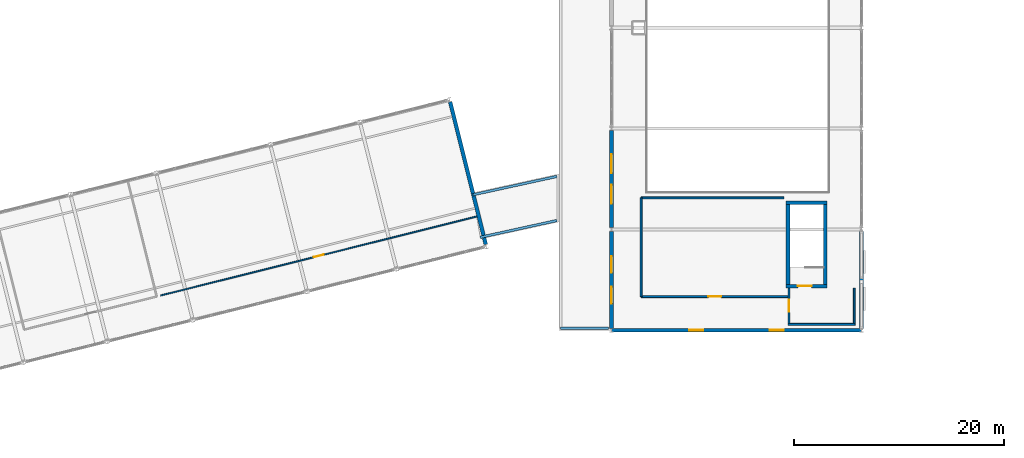
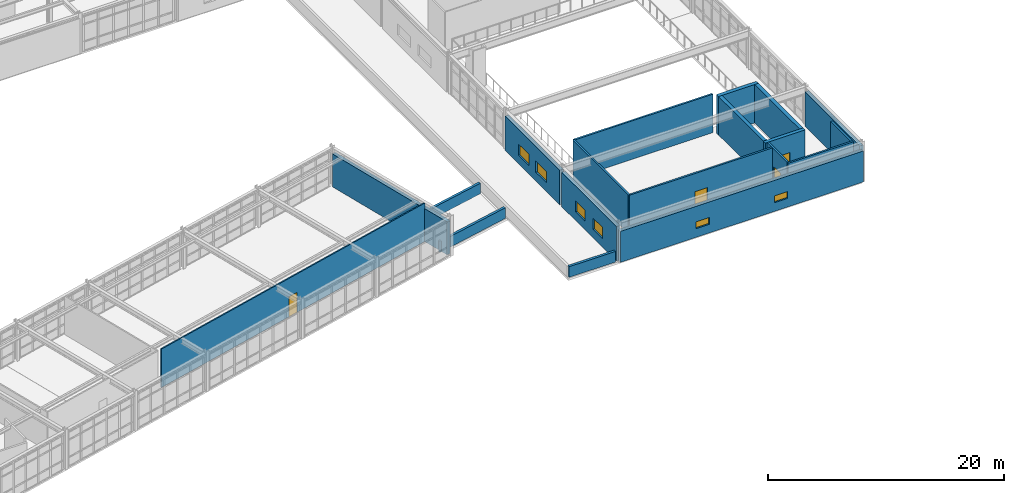
# One storey, part 63 of 76: 19 walls, 6 windows, 4 doors, 10 openings.
"""IFC4 building model written with IfcOpenShell, lengths in metres."""

from ifc_helpers import new_model, si_unit, direction, frame, frame_2d, origin, place, context, subcontext, project, spatial, rectangle, extrude, material, layer, layer_set, type_object, element, fill, save


model = new_model("IFC4")

# Units and contexts
model_context = context("Model", 3, precision=1e-05, world=origin(), true_north=direction((0.0, 1.0)))
body_context = subcontext(model_context, "Body", "Model", "MODEL_VIEW")
ifc_project = project(units=[si_unit("LENGTHUNIT", "METRE"), si_unit("AREAUNIT", "SQUARE_METRE"), si_unit("VOLUMEUNIT", "CUBIC_METRE"), si_unit("PLANEANGLEUNIT", "RADIAN"), si_unit("MASSUNIT", "GRAM", prefix="KILO")], contexts=[model_context])

# Site, building, storey
site_placement = place(None, origin())
site = spatial("IfcSite", under=ifc_project, at=site_placement, CompositionType="ELEMENT")
building_placement = place(site_placement, origin())
building = spatial("IfcBuilding", under=site, at=building_placement, Name="Nordkorset Police Headquarters", CompositionType="ELEMENT")
storey_placement = place(building_placement, frame((0.0, 0.0, 13.64990234375)))
storey = spatial("IfcBuildingStorey", under=building, at=storey_placement, Name="L03", CompositionType="ELEMENT", Elevation=13.64990234375)

# Wall
ifc_material_1 = material(Name="Gypsum board", Category="gypsum")
ifc_layer_1 = layer(ifc_material_1, 0.179931640625, Name="Gypsum board")
ifc_layer_set_1 = layer_set([ifc_layer_1], Name="Gypsum board")
wall_type_1 = type_object("IfcWallType", Name="Wall_Comp_180", PredefinedType="PARTITIONING", material=ifc_layer_set_1)
wall_1_placement = place(storey_placement, frame((108.199951171875, 48.56005859375, 0.0), z_axis=(0.0, 0.0, 1.0), x_axis=(1.0, 0.0, 0.0)))
element("IfcWall", 1, at=wall_1_placement, inside=storey, type_object=wall_type_1, Name="Firefighting Lobby EI 60 Wall K8 L03 S", PredefinedType="PARTITIONING", context=body_context, shape_type="SweptSolid", body=[
    extrude(rectangle(XDim=6.400146484375, YDim=0.179931640625, at=frame_2d((3.2001953125, 0.0))), origin(), (0.0, 0.0, 1.0), 3.97998046875),
])

# Wall, opening, door
wall_2_placement = place(storey_placement, frame((108.2900390625, 48.64990234375, 0.0), z_axis=(0.0, 0.0, 1.0), x_axis=(0.0, 1.0, 0.0)))
wall_2 = element("IfcWall", 2, at=wall_2_placement, inside=storey, type_object=wall_type_1, Name="Firefighting Lobby EI 60 Wall K8 L03 W", PredefinedType="PARTITIONING", context=body_context, shape_type="SweptSolid", body=[
    extrude(rectangle(XDim=3.375, YDim=0.179931640625, at=frame_2d((1.6875, 0.0))), origin(), (0.0, 0.0, 1.0), 3.97998046875),
])
opening_1_placement = place(wall_2_placement, frame((1.112548828125, 0.0, 0.0)))
opening_1 = element("IfcOpeningElement", 3, at=opening_1_placement, cuts=wall_2, Name="Opening DR-01", PredefinedType="OPENING", context=body_context, shape_type="SweptSolid", body=[
    extrude(rectangle(XDim=1.14990234375, YDim=2.14990234375, at=frame_2d((0.574951171875, 1.074951171875))), frame((0.0, 0.10009765625, 0.0), z_axis=(0.0, -1.0, 0.0), x_axis=(1.0, 0.0, 0.0)), (0.0, 0.0, 1.0), 0.199951171875),
])
ifc_material_2 = material(Name="Steel S355J2", Category="steel")
door_type_1 = type_object("IfcDoorType", Name="Door_LobbySingle_1150x2150", OperationType="NOTDEFINED", PredefinedType="DOOR", material=ifc_material_2)
door_1_placement = place(opening_1_placement, origin())
door_1 = element("IfcDoor", 4, at=door_1_placement, inside=storey, type_object=door_type_1, Name="Firefighting Lobby Smoke Door K8 L03 W", OperationType="SINGLE_SWING_RIGHT", OverallHeight=2.14990234375, OverallWidth=1.14990234375, PredefinedType="DOOR", context=body_context, shape_type="SweptSolid", body=[
    extrude(rectangle(XDim=1.14990234375, YDim=2.14990234375, at=frame_2d((0.574951171875, 1.074951171875))), frame((0.0, 0.02490234375, 0.0), z_axis=(0.0, -1.0, 0.0), x_axis=(1.0, 0.0, 0.0)), (0.0, 0.0, 1.0), 0.050048828125),
])
fill(opening_1, door_1)

# Wall
wall_3_placement = place(storey_placement, frame((114.510009765625, 48.64990234375, 0.0), z_axis=(0.0, 0.0, 1.0), x_axis=(0.0, 1.0, 0.0)))
element("IfcWall", 5, at=wall_3_placement, inside=storey, type_object=wall_type_1, Name="Firefighting Lobby EI 60 Wall K8 L03 E", PredefinedType="PARTITIONING", context=body_context, shape_type="SweptSolid", body=[
    extrude(rectangle(XDim=3.375, YDim=0.179931640625, at=frame_2d((1.6875, 0.0))), origin(), (0.0, 0.0, 1.0), 3.97998046875),
])

# Wall, opening, door
wall_4_placement = place(storey_placement, frame((94.219970703125, 51.199951171875, 0.0), z_axis=(0.0, 0.0, 1.0), x_axis=(1.0, 0.0, 0.0)))
wall_4 = element("IfcWall", 6, at=wall_4_placement, inside=storey, type_object=wall_type_1, Name="Interior Partition Wall Gymnasium Wing Air Handling Room", PredefinedType="PARTITIONING", context=body_context, shape_type="SweptSolid", body=[
    extrude(rectangle(XDim=13.985107421875, YDim=0.179931640625, at=frame_2d((6.99267578125, 0.0))), origin(), (0.0, 0.0, 1.0), 3.97998046875),
])
opening_2_placement = place(wall_4_placement, frame((6.382568359375, 0.0, 0.0)))
opening_2 = element("IfcOpeningElement", 7, at=opening_2_placement, cuts=wall_4, Name="Opening DR-13", PredefinedType="OPENING", context=body_context, shape_type="SweptSolid", body=[
    extrude(rectangle(XDim=1.219970703125, YDim=2.10009765625, at=frame_2d((0.60986328125, 1.050048828125))), frame((0.0, 0.10009765625, 0.0), z_axis=(0.0, -1.0, 0.0), x_axis=(1.0, 0.0, 0.0)), (0.0, 0.0, 1.0), 0.199951171875),
])
ifc_material_3 = material(Name="Steel S355J2", Category="steel")
door_type_2 = type_object("IfcDoorType", Name="Door_FireComp_1220x2100", OperationType="NOTDEFINED", PredefinedType="DOOR", material=ifc_material_3)
door_2_placement = place(opening_2_placement, origin())
door_2 = element("IfcDoor", 8, at=door_2_placement, inside=storey, type_object=door_type_2, Name="Interior Door Gymnasium Wing Air Handling Room", OperationType="SINGLE_SWING_LEFT", OverallHeight=2.10009765625, OverallWidth=1.219970703125, PredefinedType="DOOR", context=body_context, shape_type="SweptSolid", body=[
    extrude(rectangle(XDim=1.219970703125, YDim=2.10009765625, at=frame_2d((0.60986328125, 1.050048828125))), frame((0.0, 0.02490234375, 0.0), z_axis=(0.0, -1.0, 0.0), x_axis=(1.0, 0.0, 0.0)), (0.0, 0.0, 1.0), 0.050048828125),
])
fill(opening_2, door_2)

# Walls
wall_5_placement = place(storey_placement, frame((107.800048828125, 60.60009765625, 0.0), z_axis=(0.0, 0.0, 1.0), x_axis=(-1.0, 0.0, 0.0)))
element("IfcWall", 9, at=wall_5_placement, inside=storey, type_object=wall_type_1, Name="Interior Partition Wall Gymnasium Wing Air Handling Room", PredefinedType="PARTITIONING", context=body_context, shape_type="SweptSolid", body=[
    extrude(rectangle(XDim=13.580078125, YDim=0.179931640625, at=frame_2d((6.7900390625, 0.0))), origin(), (0.0, 0.0, 1.0), 3.97998046875),
])
wall_6_placement = place(storey_placement, frame((94.219970703125, 60.60009765625, 0.0), z_axis=(0.0, 0.0, 1.0), x_axis=(0.0, -1.0, 0.0)))
element("IfcWall", 10, at=wall_6_placement, inside=storey, type_object=wall_type_1, Name="Interior Partition Wall Gymnasium Wing Air Handling Room", PredefinedType="PARTITIONING", context=body_context, shape_type="SweptSolid", body=[
    extrude(rectangle(XDim=9.400146484375, YDim=0.179931640625, at=frame_2d((4.7001953125, 0.0))), origin(), (0.0, 0.0, 1.0), 3.97998046875),
])

# Wall, opening, door
ifc_material_4 = material(Name="Concrete C35/45", Category="concrete")
ifc_layer_2 = layer(ifc_material_4, 0.35009765625, Name="Concrete C35/45")
ifc_layer_set_2 = layer_set([ifc_layer_2], Name="Concrete C35/45")
wall_type_2 = type_object("IfcWallType", Name="Wall_CoreShear_350", PredefinedType="SHEAR", material=ifc_layer_set_2)
wall_7_placement = place(storey_placement, frame((108.02490234375, 52.199951171875, 0.0), z_axis=(0.0, 0.0, 1.0), x_axis=(1.0, 0.0, 0.0)))
wall_7 = element("IfcWall", 11, at=wall_7_placement, inside=storey, type_object=wall_type_2, Name="Core K8 Stair Shaft South Shear Wall L03", PredefinedType="SHEAR", context=body_context, shape_type="SweptSolid", body=[
    extrude(rectangle(XDim=3.900146484375, YDim=0.35009765625, at=frame_2d((1.9501953125, 0.0))), origin(), (0.0, 0.0, 1.0), 3.97998046875),
])
opening_3_placement = place(wall_7_placement, frame((1.125, 0.0, 0.0)))
opening_3 = element("IfcOpeningElement", 12, at=opening_3_placement, cuts=wall_7, Name="Opening DR-20", PredefinedType="OPENING", context=body_context, shape_type="SweptSolid", body=[
    extrude(rectangle(XDim=1.300048828125, YDim=2.14990234375, at=frame_2d((0.64990234375, 1.074951171875))), frame((0.0, 0.18505859375, 0.0), z_axis=(0.0, -1.0, 0.0), x_axis=(1.0, 0.0, 0.0)), (0.0, 0.0, 1.0), 0.3701171875),
])
ifc_material_5 = material(Name="Steel S355J2", Category="steel")
door_type_3 = type_object("IfcDoorType", Name="Door_Stair_1300x2150", OperationType="NOTDEFINED", PredefinedType="DOOR", material=ifc_material_5)
door_3_placement = place(opening_3_placement, frame((1.300048828125, 0.0, 0.0), z_axis=(0.0, 0.0, 1.0), x_axis=(-1.0, 0.0, 0.0)))
door_3 = element("IfcDoor", 13, at=door_3_placement, inside=storey, type_object=door_type_3, Name="Protected Stair Fire Door ST-09 L03", OperationType="SINGLE_SWING_LEFT", OverallHeight=2.14990234375, OverallWidth=1.300048828125, PredefinedType="DOOR", context=body_context, shape_type="SweptSolid", body=[
    extrude(rectangle(XDim=1.300048828125, YDim=2.14990234375, at=frame_2d((0.64990234375, 1.074951171875))), frame((0.0, 0.02490234375, 0.0), z_axis=(0.0, -1.0, 0.0), x_axis=(1.0, 0.0, 0.0)), (0.0, 0.0, 1.0), 0.050048828125),
])
fill(opening_3, door_3)

# Walls
wall_8_placement = place(storey_placement, frame((108.02490234375, 60.14990234375, 0.0), z_axis=(0.0, 0.0, 1.0), x_axis=(1.0, 0.0, 0.0)))
element("IfcWall", 14, at=wall_8_placement, inside=storey, type_object=wall_type_2, Name="Core K8 Stair Shaft North Shear Wall L03", PredefinedType="SHEAR", context=body_context, shape_type="SweptSolid", body=[
    extrude(rectangle(XDim=3.900146484375, YDim=0.35009765625, at=frame_2d((1.9501953125, 0.0))), origin(), (0.0, 0.0, 1.0), 3.97998046875),
])
for number, where, z_axis, x_axis, name in (
    (15, (108.199951171875, 52.375, 0.0), (0.0, 0.0, 1.0), (0.0, 1.0, 0.0), "Core K8 Stair Shaft West Shear Wall L03"),
    (16, (111.75, 52.375, 0.0), (0.0, 0.0, 1.0), (0.0, 1.0, 0.0), "Core K8 Stair Shaft East Shear Wall L03"),
):
    element("IfcWall", number, at=place(storey_placement, frame(where, z_axis=z_axis, x_axis=x_axis)), inside=storey, type_object=wall_type_2, Name=name, PredefinedType="SHEAR", context=body_context, shape_type="SweptSolid", body=[
        extrude(rectangle(XDim=7.60009765625, YDim=0.35009765625, at=frame_2d((3.800048828125, 0.0))), origin(), (0.0, 0.0, 1.0), 3.97998046875),
    ])
ifc_material_6 = material(Name="Precast concrete C40/50", Category="concrete")
ifc_layer_3 = layer(ifc_material_6, 0.360107421875, Name="Precast concrete C40/50")
ifc_layer_set_3 = layer_set([ifc_layer_3], Name="Precast concrete C40/50")
wall_type_3 = type_object("IfcWallType", Name="Wall_ExtPrecast_360", PredefinedType="SOLIDWALL", material=ifc_layer_set_3)
wall_9_placement = place(storey_placement, frame((79.43115234375, 56.166015625, 0.0), z_axis=(0.0, 0.0, 1.0), x_axis=(-0.242535625036, 0.970142500145, 0.0)))
element("IfcWall", 17, at=wall_9_placement, inside=storey, type_object=wall_type_3, Name="Exterior Insulated Precast Wall L03 V4E-0", PredefinedType="SOLIDWALL", context=body_context, shape_type="SweptSolid", body=[
    extrude(rectangle(XDim=13.99609375, YDim=0.360107421875, at=frame_2d((6.998046875, 0.0))), origin(), (0.0, 0.0, 1.0), 3.406005859375),
])
wall_10_placement = place(storey_placement, frame((115.199951171875, 48.172119140625, 0.0), z_axis=(0.0, 0.0, 1.0), x_axis=(0.0, 1.0, 0.0)))
element("IfcWall", 18, at=wall_10_placement, inside=storey, type_object=wall_type_3, Name="Exterior Insulated Precast Wall L03 V5E-0", PredefinedType="SOLIDWALL", context=body_context, shape_type="SweptSolid", body=[
    extrude(rectangle(XDim=9.255859375, YDim=0.360107421875, at=frame_2d((4.6279296875, 0.0))), origin(), (0.0, 0.0, 1.0), 3.565185546875),
])

# Wall, openings, windows
wall_11_placement = place(storey_placement, frame((91.39990234375, 48.172119140625, 0.0), z_axis=(0.0, 0.0, 1.0), x_axis=(0.0, 1.0, 0.0)))
wall_11 = element("IfcWall", 19, at=wall_11_placement, inside=storey, type_object=wall_type_3, Name="Exterior Insulated Precast Wall L03 V5W-0", PredefinedType="SOLIDWALL", context=body_context, shape_type="SweptSolid", body=[
    extrude(rectangle(XDim=9.255859375, YDim=0.360107421875, at=frame_2d((4.6279296875, 0.0))), origin(), (0.0, 0.0, 1.0), 3.565185546875),
])
opening_4_placement = place(wall_11_placement, frame((2.361328125, 0.0, 0.89990234375)))
opening_4 = element("IfcOpeningElement", 20, at=opening_4_placement, cuts=wall_11, Name="Opening WN-17", PredefinedType="OPENING", context=body_context, shape_type="SweptSolid", body=[
    extrude(rectangle(XDim=1.60009765625, YDim=1.14990234375, at=frame_2d((0.800048828125, 0.574951171875))), frame((0.0, 0.18994140625, 0.0), z_axis=(0.0, -1.0, 0.0), x_axis=(1.0, 0.0, 0.0)), (0.0, 0.0, 1.0), 0.380126953125),
])
opening_5_placement = place(wall_11_placement, frame((5.294677734375, 0.0, 0.89990234375)))
opening_5 = element("IfcOpeningElement", 21, at=opening_5_placement, cuts=wall_11, Name="Opening WN-17", PredefinedType="OPENING", context=body_context, shape_type="SweptSolid", body=[
    extrude(rectangle(XDim=1.60009765625, YDim=1.14990234375, at=frame_2d((0.800048828125, 0.574951171875))), frame((0.0, 0.18994140625, 0.0), z_axis=(0.0, -1.0, 0.0), x_axis=(1.0, 0.0, 0.0)), (0.0, 0.0, 1.0), 0.380126953125),
])
ifc_material_7 = material(Name="Low-iron triple glazing", Category="glass")
window_type_1 = type_object("IfcWindowType", Name="Win_1600x1150", PartitioningType="SINGLE_PANEL", PredefinedType="WINDOW", material=ifc_material_7)
window_1_placement = place(opening_4_placement, origin())
window_1 = element("IfcWindow", 22, at=window_1_placement, inside=storey, type_object=window_type_1, Name="Triple-Glazed Exterior Window L03 V5W-0-1", OverallHeight=1.14990234375, OverallWidth=1.60009765625, PartitioningType="SINGLE_PANEL", PredefinedType="WINDOW", context=body_context, shape_type="SweptSolid", body=[
    extrude(rectangle(XDim=1.60009765625, YDim=1.14990234375, at=frame_2d((0.800048828125, 0.574951171875))), frame((0.0, 0.030029296875, 0.0), z_axis=(0.0, -1.0, 0.0), x_axis=(1.0, 0.0, 0.0)), (0.0, 0.0, 1.0), 0.06005859375),
])
fill(opening_4, window_1)
window_2_placement = place(opening_5_placement, origin())
window_2 = element("IfcWindow", 23, at=window_2_placement, inside=storey, type_object=window_type_1, Name="Triple-Glazed Exterior Window L03 V5W-0-2", OverallHeight=1.14990234375, OverallWidth=1.60009765625, PartitioningType="SINGLE_PANEL", PredefinedType="WINDOW", context=body_context, shape_type="SweptSolid", body=[
    extrude(rectangle(XDim=1.60009765625, YDim=1.14990234375, at=frame_2d((0.800048828125, 0.574951171875))), frame((0.0, 0.030029296875, 0.0), z_axis=(0.0, -1.0, 0.0), x_axis=(1.0, 0.0, 0.0)), (0.0, 0.0, 1.0), 0.06005859375),
])
fill(opening_5, window_2)

wall_12_placement = place(storey_placement, frame((91.39990234375, 57.77197265625, 0.0), z_axis=(0.0, 0.0, 1.0), x_axis=(0.0, 1.0, 0.0)))
wall_12 = element("IfcWall", 24, at=wall_12_placement, inside=storey, type_object=wall_type_3, Name="Exterior Insulated Precast Wall L03 V5W-1", PredefinedType="SOLIDWALL", context=body_context, shape_type="SweptSolid", body=[
    extrude(rectangle(XDim=9.256103515625, YDim=0.360107421875, at=frame_2d((4.6279296875, 0.0))), origin(), (0.0, 0.0, 1.0), 3.565185546875),
])
opening_6_placement = place(wall_12_placement, frame((2.26123046875, 0.0, 0.89990234375)))
opening_6 = element("IfcOpeningElement", 25, at=opening_6_placement, cuts=wall_12, Name="Opening WN-24", PredefinedType="OPENING", context=body_context, shape_type="SweptSolid", body=[
    extrude(rectangle(XDim=1.800048828125, YDim=1.14990234375, at=frame_2d((0.89990234375, 0.574951171875))), frame((0.0, 0.18994140625, 0.0), z_axis=(0.0, -1.0, 0.0), x_axis=(1.0, 0.0, 0.0)), (0.0, 0.0, 1.0), 0.380126953125),
])
opening_7_placement = place(wall_12_placement, frame((5.194580078125, 0.0, 0.89990234375)))
opening_7 = element("IfcOpeningElement", 26, at=opening_7_placement, cuts=wall_12, Name="Opening WN-24", PredefinedType="OPENING", context=body_context, shape_type="SweptSolid", body=[
    extrude(rectangle(XDim=1.800048828125, YDim=1.14990234375, at=frame_2d((0.89990234375, 0.574951171875))), frame((0.0, 0.18994140625, 0.0), z_axis=(0.0, -1.0, 0.0), x_axis=(1.0, 0.0, 0.0)), (0.0, 0.0, 1.0), 0.380126953125),
])
ifc_material_8 = material(Name="Low-iron triple glazing", Category="glass")
window_type_2 = type_object("IfcWindowType", Name="Win_1800x1150", PartitioningType="SINGLE_PANEL", PredefinedType="WINDOW", material=ifc_material_8)
window_3_placement = place(opening_6_placement, origin())
window_3 = element("IfcWindow", 27, at=window_3_placement, inside=storey, type_object=window_type_2, Name="Triple-Glazed Exterior Window L03 V5W-1-1", OverallHeight=1.14990234375, OverallWidth=1.800048828125, PartitioningType="SINGLE_PANEL", PredefinedType="WINDOW", context=body_context, shape_type="SweptSolid", body=[
    extrude(rectangle(XDim=1.800048828125, YDim=1.14990234375, at=frame_2d((0.89990234375, 0.574951171875))), frame((0.0, 0.030029296875, 0.0), z_axis=(0.0, -1.0, 0.0), x_axis=(1.0, 0.0, 0.0)), (0.0, 0.0, 1.0), 0.06005859375),
])
fill(opening_6, window_3)
window_4_placement = place(opening_7_placement, origin())
window_4 = element("IfcWindow", 28, at=window_4_placement, inside=storey, type_object=window_type_2, Name="Triple-Glazed Exterior Window L03 V5W-1-2", OverallHeight=1.14990234375, OverallWidth=1.800048828125, PartitioningType="SINGLE_PANEL", PredefinedType="WINDOW", context=body_context, shape_type="SweptSolid", body=[
    extrude(rectangle(XDim=1.800048828125, YDim=1.14990234375, at=frame_2d((0.89990234375, 0.574951171875))), frame((0.0, 0.030029296875, 0.0), z_axis=(0.0, -1.0, 0.0), x_axis=(1.0, 0.0, 0.0)), (0.0, 0.0, 1.0), 0.06005859375),
])
fill(opening_7, window_4)

wall_13_placement = place(storey_placement, frame((91.407958984375, 48.0, 0.0), z_axis=(0.0, 0.0, 1.0), x_axis=(1.0, 0.0, 0.0)))
wall_13 = element("IfcWall", 29, at=wall_13_placement, inside=storey, type_object=wall_type_3, Name="Exterior Insulated Precast Wall L03 V5S-0", PredefinedType="SOLIDWALL", context=body_context, shape_type="SweptSolid", body=[
    extrude(rectangle(XDim=23.783935546875, YDim=0.360107421875, at=frame_2d((11.89208984375, 0.0))), origin(), (0.0, 0.0, 1.0), 3.205078125),
])
opening_8_placement = place(wall_13_placement, frame((7.40869140625, 0.0, 0.89990234375)))
opening_8 = element("IfcOpeningElement", 30, at=opening_8_placement, cuts=wall_13, Name="Opening WN-36", PredefinedType="OPENING", context=body_context, shape_type="SweptSolid", body=[
    extrude(rectangle(XDim=1.300048828125, YDim=0.699951171875, at=frame_2d((0.64990234375, 0.35009765625))), frame((0.0, 0.18994140625, 0.0), z_axis=(0.0, -1.0, 0.0), x_axis=(1.0, 0.0, 0.0)), (0.0, 0.0, 1.0), 0.380126953125),
])
opening_9_placement = place(wall_13_placement, frame((15.0751953125, 0.0, 0.89990234375)))
opening_9 = element("IfcOpeningElement", 31, at=opening_9_placement, cuts=wall_13, Name="Opening WN-36", PredefinedType="OPENING", context=body_context, shape_type="SweptSolid", body=[
    extrude(rectangle(XDim=1.300048828125, YDim=0.699951171875, at=frame_2d((0.64990234375, 0.35009765625))), frame((0.0, 0.18994140625, 0.0), z_axis=(0.0, -1.0, 0.0), x_axis=(1.0, 0.0, 0.0)), (0.0, 0.0, 1.0), 0.380126953125),
])
ifc_material_9 = material(Name="Low-iron triple glazing", Category="glass")
window_type_3 = type_object("IfcWindowType", Name="Win_1300x700", PartitioningType="SINGLE_PANEL", PredefinedType="WINDOW", material=ifc_material_9)
window_5_placement = place(opening_8_placement, origin())
window_5 = element("IfcWindow", 32, at=window_5_placement, inside=storey, type_object=window_type_3, Name="Triple-Glazed Exterior Window L03 V5S-0-1", OverallHeight=0.699951171875, OverallWidth=1.300048828125, PartitioningType="SINGLE_PANEL", PredefinedType="WINDOW", context=body_context, shape_type="SweptSolid", body=[
    extrude(rectangle(XDim=1.300048828125, YDim=0.699951171875, at=frame_2d((0.64990234375, 0.35009765625))), frame((0.0, 0.030029296875, 0.0), z_axis=(0.0, -1.0, 0.0), x_axis=(1.0, 0.0, 0.0)), (0.0, 0.0, 1.0), 0.06005859375),
])
fill(opening_8, window_5)
window_6_placement = place(opening_9_placement, origin())
window_6 = element("IfcWindow", 33, at=window_6_placement, inside=storey, type_object=window_type_3, Name="Triple-Glazed Exterior Window L03 V5S-0-2", OverallHeight=0.699951171875, OverallWidth=1.300048828125, PartitioningType="SINGLE_PANEL", PredefinedType="WINDOW", context=body_context, shape_type="SweptSolid", body=[
    extrude(rectangle(XDim=1.300048828125, YDim=0.699951171875, at=frame_2d((0.64990234375, 0.35009765625))), frame((0.0, 0.030029296875, 0.0), z_axis=(0.0, -1.0, 0.0), x_axis=(1.0, 0.0, 0.0)), (0.0, 0.0, 1.0), 0.06005859375),
])
fill(opening_9, window_6)

# Walls
ifc_material_10 = material(Name="Precast concrete C40/50", Category="concrete")
ifc_layer_4 = layer(ifc_material_10, 0.239990234375, Name="Precast concrete C40/50")
ifc_layer_set_4 = layer_set([ifc_layer_4], Name="Precast concrete C40/50")
wall_type_4 = type_object("IfcWallType", Name="Wall_Parapet_240", PredefinedType="PARAPET", material=ifc_layer_set_4)
wall_14_placement = place(storey_placement, frame((86.550048828125, 48.199951171875, 0.0), z_axis=(0.0, 0.0, 1.0), x_axis=(1.0, 0.0, 0.0)))
element("IfcWall", 34, at=wall_14_placement, inside=storey, type_object=wall_type_4, Name="Flat Roof Parapet Wall V5SET-L03-1", PredefinedType="PARAPET", context=body_context, shape_type="SweptSolid", body=[
    extrude(rectangle(XDim=4.550048828125, YDim=0.239990234375, at=frame_2d((2.27490234375, 0.0))), origin(), (0.0, 0.0, 1.0), 1.10009765625),
])
wall_15_placement = place(storey_placement, frame((78.89990234375, 56.85009765625, 0.0), z_axis=(0.0, 0.0, 1.0), x_axis=(0.976817039891, 0.214075852393, 0.0)))
element("IfcWall", 35, at=wall_15_placement, inside=storey, type_object=wall_type_4, Name="Flat Roof Parapet Wall BRGE-RF-1", PredefinedType="PARAPET", context=body_context, shape_type="SweptSolid", body=[
    extrude(rectangle(XDim=7.473388671875, YDim=0.239990234375, at=frame_2d((3.73681640625, 0.0))), origin(), (0.0, 0.0, 1.0), 1.10009765625),
])
wall_16_placement = place(storey_placement, frame((86.199951171875, 62.64990234375, 0.0), z_axis=(0.0, 0.0, 1.0), x_axis=(-0.976900017396, -0.213696878805, 0.0)))
element("IfcWall", 36, at=wall_16_placement, inside=storey, type_object=wall_type_4, Name="Flat Roof Parapet Wall BRGE-RF-3", PredefinedType="PARAPET", context=body_context, shape_type="SweptSolid", body=[
    extrude(rectangle(XDim=8.189208984375, YDim=0.239990234375, at=frame_2d((4.0947265625, 0.0))), origin(), (0.0, 0.0, 1.0), 1.10009765625),
])

# Wall, opening, door
ifc_material_11 = material(Name="Gypsum board", Category="gypsum")
ifc_layer_5 = layer(ifc_material_11, 0.1201171875, Name="Gypsum board")
ifc_layer_set_5 = layer_set([ifc_layer_5], Name="Gypsum board")
wall_type_5 = type_object("IfcWallType", Name="Wall_Part_120", PredefinedType="PARTITIONING", material=ifc_layer_set_5)
wall_17_placement = place(storey_placement, frame((48.484130859375, 51.3134765625, 0.0), z_axis=(0.0, 0.0, 1.0), x_axis=(0.970142500145, 0.242535625036, 0.0)))
wall_17 = element("IfcWall", 37, at=wall_17_placement, inside=storey, type_object=wall_type_5, Name="Interior Partition Wall Peer Support and Welfare Suite", PredefinedType="PARTITIONING", context=body_context, shape_type="SweptSolid", body=[
    extrude(rectangle(XDim=31.02490234375, YDim=0.1201171875, at=frame_2d((15.512451171875, 0.0))), origin(), (0.0, 0.0, 1.0), 3.97998046875),
])
opening_10_placement = place(wall_17_placement, frame((15.032470703125, 0.0, 0.0)))
opening_10 = element("IfcOpeningElement", 38, at=opening_10_placement, cuts=wall_17, Name="Opening DR-08", PredefinedType="OPENING", context=body_context, shape_type="SweptSolid", body=[
    extrude(rectangle(XDim=0.9599609375, YDim=2.080078125, at=frame_2d((0.47998046875, 1.0400390625))), frame((0.0, 0.070068359375, 0.0), z_axis=(0.0, -1.0, 0.0), x_axis=(1.0, 0.0, 0.0)), (0.0, 0.0, 1.0), 0.14013671875),
])
ifc_material_12 = material(Name="Glulam GL30c", Category="wood")
door_type_4 = type_object("IfcDoorType", Name="Door_Welfare_960x2080", OperationType="NOTDEFINED", PredefinedType="DOOR", material=ifc_material_12)
door_4_placement = place(opening_10_placement, frame((0.9599609375, 0.0, 0.0), z_axis=(0.0, 0.0, 1.0), x_axis=(-1.0, 0.0, 0.0)))
door_4 = element("IfcDoor", 39, at=door_4_placement, inside=storey, type_object=door_type_4, Name="Interior Door Peer Support and Welfare Suite", OperationType="SINGLE_SWING_RIGHT", OverallHeight=2.080078125, OverallWidth=0.9599609375, PredefinedType="DOOR", context=body_context, shape_type="SweptSolid", body=[
    extrude(rectangle(XDim=0.9599609375, YDim=2.080078125, at=frame_2d((0.47998046875, 1.0400390625))), frame((0.0, 0.02490234375, 0.0), z_axis=(0.0, -1.0, 0.0), x_axis=(1.0, 0.0, 0.0)), (0.0, 0.0, 1.0), 0.050048828125),
])
fill(opening_10, door_4)

save(model, "model.ifc")
